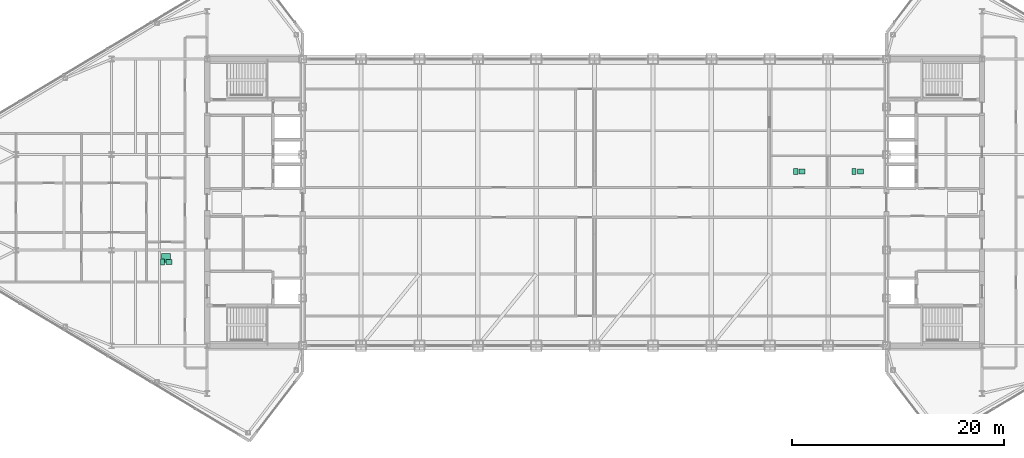
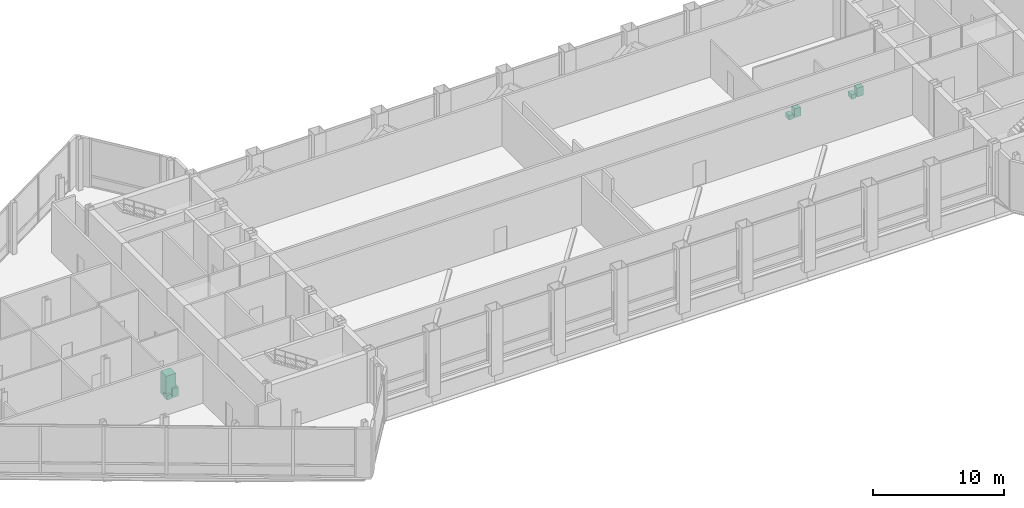
# One storey, part 29 of 29: 7 sanitary terminals.
"""IFC4 building model written with IfcOpenShell, lengths in metres."""

from ifc_helpers import new_model, si_unit, direction, frame, origin, origin_2d, place, context, subcontext, project, spatial, rectangle, extrude, source, transform, mapped, material, type_object, type_shapes, element, save


model = new_model("IFC4")

# Units and contexts
model_context = context("Model", 3, precision=1e-05, world=origin(), true_north=direction((0.0, 1.0)))
body_context = subcontext(model_context, "Body", "Model", "MODEL_VIEW")
ifc_project = project(units=[si_unit("LENGTHUNIT", "METRE"), si_unit("AREAUNIT", "SQUARE_METRE"), si_unit("VOLUMEUNIT", "CUBIC_METRE"), si_unit("PLANEANGLEUNIT", "RADIAN"), si_unit("MASSUNIT", "GRAM", prefix="KILO")], contexts=[model_context])

# Site, building, storey
site_placement = place(None, origin())
site = spatial("IfcSite", under=ifc_project, at=site_placement, CompositionType="ELEMENT")
building_placement = place(site_placement, origin())
building = spatial("IfcBuilding", under=site, at=building_placement, Name="Seokmaru Belvedere", CompositionType="ELEMENT")
storey_placement = place(building_placement, frame((0.0, 0.0, 229.800048828125)))
storey = spatial("IfcBuildingStorey", under=building, at=storey_placement, Name="L61", CompositionType="ELEMENT", Elevation=229.800048828125)

# Sanitary terminals
ifc_material_1 = material(Name="Vitreous China Sanitaryware")
sanitary_terminal_type_1 = type_object("IfcSanitaryTerminalType", Name="Wall-Hung Vitreous China WC Pan", PredefinedType="TOILETPAN", material=ifc_material_1)
shared_shape_1 = source(origin(), body_context, "Body", "SweptSolid", [
    extrude(rectangle(XDim=0.3798828125, YDim=0.56005859375, at=origin_2d()), origin(), (0.0, 0.0, 1.0), 0.419921875),
])
type_shapes(sanitary_terminal_type_1, [shared_shape_1])
for number, where, z_axis, x_axis, name in (
    (1, (-40.699951171875, -5.611083984375, 0.0), (0.0, 0.0, 1.0), (1.0, 0.0, 0.0), "L61 Vitreous China WC 0274"),
    (2, (18.949951171875, 2.89990234375, 0.0), (0.0, 0.0, 1.0), (1.0, 0.0, 0.0), "L61 Vitreous China WC 0275"),
    (3, (24.449951171875, 2.89990234375, 0.0), (0.0, 0.0, 1.0), (1.0, 0.0, 0.0), "L61 Vitreous China WC 0276"),
):
    element("IfcSanitaryTerminal", number, at=place(storey_placement, frame(where, z_axis=z_axis, x_axis=x_axis)), inside=storey, type_object=sanitary_terminal_type_1, Name=name, PredefinedType="TOILETPAN", context=body_context, shape_type="MappedRepresentation", body=[
        mapped(shared_shape_1, transform((0.0, 0.0, 0.0), scale=1.0)),
    ])
sanitary_terminal_type_2 = type_object("IfcSanitaryTerminalType", Name="Countertop Ceramic Washhand Basin", PredefinedType="WASHHANDBASIN", material=ifc_material_1)
shared_shape_2 = source(origin(), body_context, "Body", "SweptSolid", [
    extrude(rectangle(XDim=0.550048828125, YDim=0.449951171875, at=origin_2d()), origin(), (0.0, 0.0, 1.0), 0.820068359375),
])
type_shapes(sanitary_terminal_type_2, [shared_shape_2])
for number, where, z_axis, x_axis, name in (
    (4, (-40.10009765625, -5.611083984375, 0.0), (0.0, 0.0, 1.0), (1.0, 0.0, 0.0), "L61 Ceramic Washhand Basin 0274"),
    (5, (19.550048828125, 2.89990234375, 0.0), (0.0, 0.0, 1.0), (1.0, 0.0, 0.0), "L61 Ceramic Washhand Basin 0275"),
    (6, (25.050048828125, 2.89990234375, 0.0), (0.0, 0.0, 1.0), (1.0, 0.0, 0.0), "L61 Ceramic Washhand Basin 0276"),
):
    element("IfcSanitaryTerminal", number, at=place(storey_placement, frame(where, z_axis=z_axis, x_axis=x_axis)), inside=storey, type_object=sanitary_terminal_type_2, Name=name, PredefinedType="WASHHANDBASIN", context=body_context, shape_type="MappedRepresentation", body=[
        mapped(shared_shape_2, transform((0.0, 0.0, 0.0), scale=1.0)),
    ])
ifc_material_2 = material(Name="Stainless Steel 316", Category="steel")
sanitary_terminal_type_3 = type_object("IfcSanitaryTerminalType", Name="Walk-In Thermostatic Rain Shower Enclosure", PredefinedType="SHOWER", material=ifc_material_2)
shared_shape_3 = source(origin(), body_context, "Body", "SweptSolid", [
    extrude(rectangle(XDim=0.85009765625, YDim=0.85009765625, at=origin_2d()), origin(), (0.0, 0.0, 1.0), 2.050048828125),
])
type_shapes(sanitary_terminal_type_3, [shared_shape_3])
sanitary_terminal_placement = place(storey_placement, frame((-40.39990234375, -5.23095703125, 0.0), z_axis=(0.0, 0.0, 1.0), x_axis=(1.0, 0.0, 0.0)))
element("IfcSanitaryTerminal", 7, at=sanitary_terminal_placement, inside=storey, type_object=sanitary_terminal_type_3, Name="L61 Walk-In Shower 0274", PredefinedType="SHOWER", context=body_context, shape_type="MappedRepresentation", body=[
    mapped(shared_shape_3, transform((0.0, 0.0, 0.0), scale=1.0)),
])

save(model, "model.ifc")
